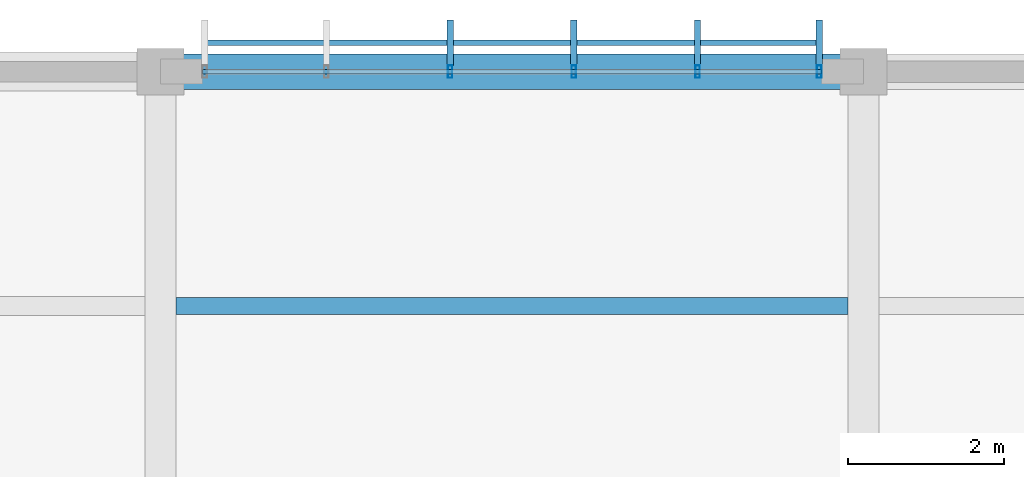
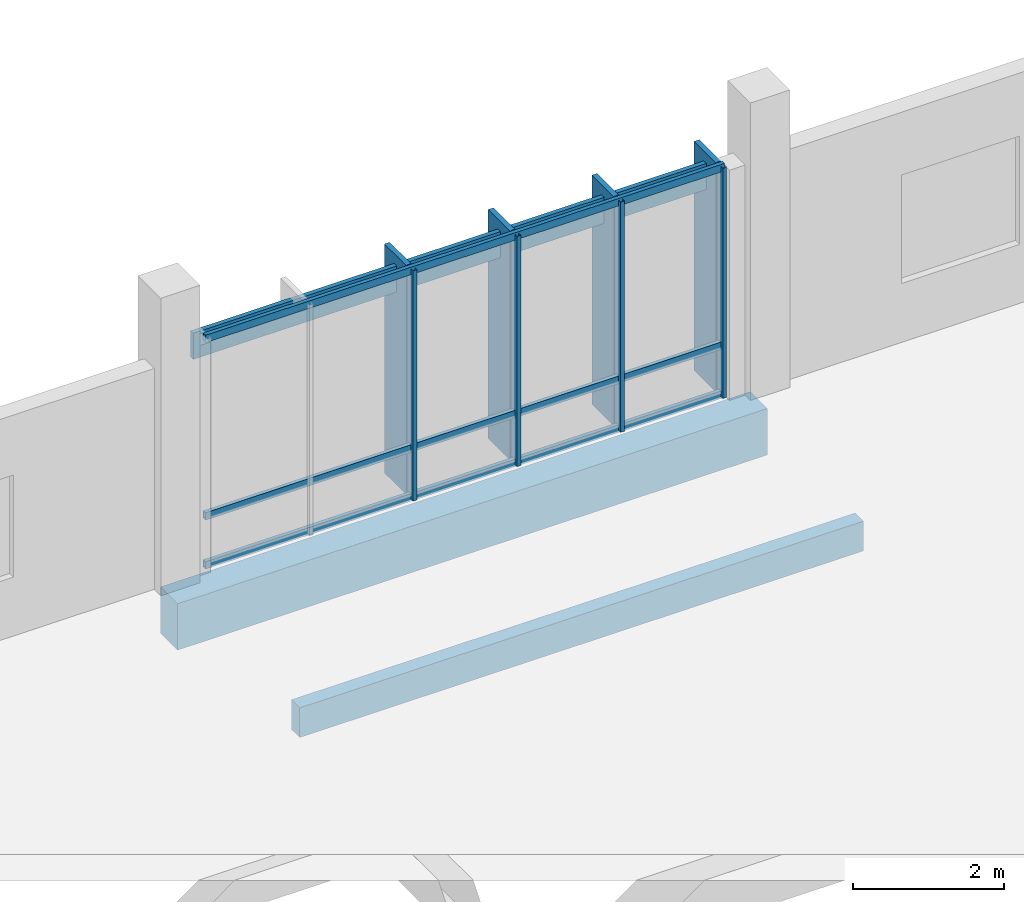
# One storey, part 129 of 177: 12 members, 2 beams, 1 element without a shape of its own.
"""IFC4 building model written with IfcOpenShell, lengths in metres."""

from ifc_helpers import new_model, si_unit, direction, frame, origin, origin_2d, place, context, subcontext, project, spatial, rectangle, hollow_rectangle, extrude, material, material_profile, profile_set, type_object, element, aggregate, save


model = new_model("IFC4")

# Units and contexts
model_context = context("Model", 3, precision=1e-05, world=origin(), true_north=direction((0.0, 1.0)))
body_context = subcontext(model_context, "Body", "Model", "MODEL_VIEW")
ifc_project = project(units=[si_unit("LENGTHUNIT", "METRE"), si_unit("AREAUNIT", "SQUARE_METRE"), si_unit("VOLUMEUNIT", "CUBIC_METRE"), si_unit("PLANEANGLEUNIT", "RADIAN"), si_unit("MASSUNIT", "GRAM", prefix="KILO")], contexts=[model_context])

# Site, building, storey
site_placement = place(None, origin())
site = spatial("IfcSite", under=ifc_project, at=site_placement, CompositionType="ELEMENT")
building_placement = place(site_placement, origin())
building = spatial("IfcBuilding", under=site, at=building_placement, Name="Chiffa Square Polytechnic", CompositionType="ELEMENT")
storey_placement = place(building_placement, frame((0.0, 0.0, 4.800048828125)))
storey = spatial("IfcBuildingStorey", under=building, at=storey_placement, Name="L01", CompositionType="ELEMENT", Elevation=4.800048828125)

# Beam
ifc_material_1 = material(Name="Concrete C35/45", Category="concrete")
ifc_material_profile_1 = material_profile(ifc_material_1, rectangle(XDim=0.449951171875, YDim=0.75, at=origin_2d()), Name="RC 450x750")
ifc_profile_set_1 = profile_set([ifc_material_profile_1], Name="Concrete C35/45")
beam_type_1 = type_object("IfcBeamType", Name="BM-RC-450X750", PredefinedType="BEAM", material=ifc_profile_set_1)
beam_1_placement = place(storey_placement, frame((121.199951171875, 130.800048828125, -0.655029296875), z_axis=(1.0, 0.0, 0.0), x_axis=(0.0, 1.0, 0.0)))
element("IfcBeam", 1, at=beam_1_placement, inside=storey, type_object=beam_type_1, Name="Primary floor girder BM-V5-L01-X-1212-1308", PredefinedType="BEAM", context=body_context, shape_type="SweptSolid", body=[
    extrude(rectangle(XDim=0.449951171875, YDim=0.75, at=origin_2d()), origin(), (0.0, 0.0, 1.0), 9.0),
])

# Curtain wall, members
ifc_material_2 = material(Name="Aluminium EN AW-6060 T66 and glulam shading", Category="wood")
curtain_wall_type = type_object("IfcCurtainWallType", Name="CW-VERT-600X380", PredefinedType="USERDEFINED", material=ifc_material_2)
curtain_wall_placement = place(storey_placement, origin())
curtain_wall = element("IfcCurtainWall", 2, at=curtain_wall_placement, inside=storey, type_object=curtain_wall_type, Name="Curtain wall CW-V5-L01-204", ObjectType="CURTAIN WALL", PredefinedType="USERDEFINED")
ifc_material_3 = material(Name="Aluminium EN AW-6060 T66", Category="aluminium")
ifc_material_profile_2 = material_profile(ifc_material_3, hollow_rectangle(XDim=0.06005859375, YDim=0.159912109375, WallThickness=0.00390625, at=origin_2d()), Name="ALU 60x160x4")
ifc_profile_set_2 = profile_set([ifc_material_profile_2], Name="Aluminium EN AW-6060 T66")
member_type_1 = type_object("IfcMemberType", Name="CWM-ALU-65X150", PredefinedType="MULLION", material=ifc_profile_set_2)
member_1_placement = place(storey_placement, frame((129.635009765625, 130.800048828125, 0.0), z_axis=(0.0, 0.0, 1.0), x_axis=(1.0, 0.0, 0.0)))
member_1 = element("IfcMember", 3, at=member_1_placement, type_object=member_type_1, Name="Curtain wall mullion CW-V5-L01-204-M00", PredefinedType="MULLION", context=body_context, shape_type="SweptSolid", body=[
    extrude(hollow_rectangle(XDim=0.06005859375, YDim=0.159912109375, WallThickness=0.00390625, at=origin_2d()), origin(), (0.0, 0.0, 1.0), 3.71484375),
])
member_2_placement = place(storey_placement, frame((128.075927734375, 130.800048828125, 0.0), z_axis=(0.0, 0.0, 1.0), x_axis=(1.0, 0.0, 0.0)))
member_2 = element("IfcMember", 4, at=member_2_placement, type_object=member_type_1, Name="Curtain wall mullion CW-V5-L01-204-M01", PredefinedType="MULLION", context=body_context, shape_type="SweptSolid", body=[
    extrude(hollow_rectangle(XDim=0.06005859375, YDim=0.159912109375, WallThickness=0.00390625, at=origin_2d()), origin(), (0.0, 0.0, 1.0), 3.71484375),
])
member_3_placement = place(storey_placement, frame((126.491943359375, 130.800048828125, 0.0), z_axis=(0.0, 0.0, 1.0), x_axis=(1.0, 0.0, 0.0)))
member_3 = element("IfcMember", 5, at=member_3_placement, type_object=member_type_1, Name="Curtain wall mullion CW-V5-L01-204-M02", PredefinedType="MULLION", context=body_context, shape_type="SweptSolid", body=[
    extrude(hollow_rectangle(XDim=0.06005859375, YDim=0.159912109375, WallThickness=0.00390625, at=origin_2d()), origin(), (0.0, 0.0, 1.0), 3.71484375),
])
member_4_placement = place(storey_placement, frame((124.907958984375, 130.800048828125, 0.0), z_axis=(0.0, 0.0, 1.0), x_axis=(1.0, 0.0, 0.0)))
member_4 = element("IfcMember", 6, at=member_4_placement, type_object=member_type_1, Name="Curtain wall mullion CW-V5-L01-204-M03", PredefinedType="MULLION", context=body_context, shape_type="SweptSolid", body=[
    extrude(hollow_rectangle(XDim=0.06005859375, YDim=0.159912109375, WallThickness=0.00390625, at=origin_2d()), origin(), (0.0, 0.0, 1.0), 3.71484375),
])
ifc_material_4 = material(Name="Glulam GL28h", Category="wood")
ifc_material_profile_3 = material_profile(ifc_material_4, rectangle(XDim=0.080078125, YDim=0.580078125, at=origin_2d()), Name="GL28h 80x580")
ifc_profile_set_3 = profile_set([ifc_material_profile_3], Name="Glulam GL28h")
member_type_2 = type_object("IfcMemberType", Name="CWM-GL-80X580", PredefinedType="MULLION", material=ifc_profile_set_3)
member_5_placement = place(storey_placement, frame((129.635009765625, 131.172119140625, 0.010009765625), z_axis=(0.0, 0.0, 1.0), x_axis=(-1.0, 0.0, 0.0)))
member_5 = element("IfcMember", 7, at=member_5_placement, type_object=member_type_2, Name="Exterior glulam solar fin CW-V5-L01-204-FN00", PredefinedType="MULLION", context=body_context, shape_type="SweptSolid", body=[
    extrude(rectangle(XDim=0.080078125, YDim=0.580078125, at=origin_2d()), origin(), (0.0, 0.0, 1.0), 3.69482421875),
])
member_6_placement = place(storey_placement, frame((128.075927734375, 131.172119140625, 0.010009765625), z_axis=(0.0, 0.0, 1.0), x_axis=(-1.0, 0.0, 0.0)))
member_6 = element("IfcMember", 8, at=member_6_placement, type_object=member_type_2, Name="Exterior glulam solar fin CW-V5-L01-204-FN01", PredefinedType="MULLION", context=body_context, shape_type="SweptSolid", body=[
    extrude(rectangle(XDim=0.080078125, YDim=0.580078125, at=origin_2d()), origin(), (0.0, 0.0, 1.0), 3.69482421875),
])
member_7_placement = place(storey_placement, frame((126.491943359375, 131.172119140625, 0.010009765625), z_axis=(0.0, 0.0, 1.0), x_axis=(-1.0, 0.0, 0.0)))
member_7 = element("IfcMember", 9, at=member_7_placement, type_object=member_type_2, Name="Exterior glulam solar fin CW-V5-L01-204-FN02", PredefinedType="MULLION", context=body_context, shape_type="SweptSolid", body=[
    extrude(rectangle(XDim=0.080078125, YDim=0.580078125, at=origin_2d()), origin(), (0.0, 0.0, 1.0), 3.69482421875),
])
member_8_placement = place(storey_placement, frame((124.907958984375, 131.172119140625, 0.010009765625), z_axis=(0.0, 0.0, 1.0), x_axis=(-1.0, 0.0, 0.0)))
member_8 = element("IfcMember", 10, at=member_8_placement, type_object=member_type_2, Name="Exterior glulam solar fin CW-V5-L01-204-FN03", PredefinedType="MULLION", context=body_context, shape_type="SweptSolid", body=[
    extrude(rectangle(XDim=0.080078125, YDim=0.580078125, at=origin_2d()), origin(), (0.0, 0.0, 1.0), 3.69482421875),
])
ifc_material_profile_4 = material_profile(ifc_material_3, hollow_rectangle(XDim=0.06005859375, YDim=0.1201171875, WallThickness=0.00390625, at=origin_2d()), Name="ALU 60x120x4")
ifc_profile_set_4 = profile_set([ifc_material_profile_4], Name="Aluminium EN AW-6060 T66")
member_type_3 = type_object("IfcMemberType", Name="CWT-ALU-65X120", PredefinedType="USERDEFINED", material=ifc_profile_set_4)
member_9_placement = place(storey_placement, frame((129.662109375, 130.800048828125, 0.030029296875), z_axis=(-1.0, 0.0, 0.0), x_axis=(0.0, -1.0, 0.0)))
member_9 = element("IfcMember", 11, at=member_9_placement, type_object=member_type_3, Name="Curtain wall transom CW-V5-L01-204-T01", ObjectType="TRANSOM", PredefinedType="USERDEFINED", context=body_context, shape_type="SweptSolid", body=[
    extrude(hollow_rectangle(XDim=0.06005859375, YDim=0.1201171875, WallThickness=0.00390625, at=origin_2d()), origin(), (0.0, 0.0, 1.0), 7.924072265625),
])
member_10_placement = place(storey_placement, frame((129.662109375, 130.800048828125, 0.820068359375), z_axis=(-1.0, 0.0, 0.0), x_axis=(0.0, -1.0, 0.0)))
member_10 = element("IfcMember", 12, at=member_10_placement, type_object=member_type_3, Name="Curtain wall transom CW-V5-L01-204-T02", ObjectType="TRANSOM", PredefinedType="USERDEFINED", context=body_context, shape_type="SweptSolid", body=[
    extrude(hollow_rectangle(XDim=0.06005859375, YDim=0.1201171875, WallThickness=0.00390625, at=origin_2d()), origin(), (0.0, 0.0, 1.0), 7.924072265625),
])
member_11_placement = place(storey_placement, frame((129.662109375, 130.800048828125, 3.68505859375), z_axis=(-1.0, 0.0, 0.0), x_axis=(0.0, -1.0, 0.0)))
member_11 = element("IfcMember", 13, at=member_11_placement, type_object=member_type_3, Name="Curtain wall transom CW-V5-L01-204-T03", ObjectType="TRANSOM", PredefinedType="USERDEFINED", context=body_context, shape_type="SweptSolid", body=[
    extrude(hollow_rectangle(XDim=0.06005859375, YDim=0.1201171875, WallThickness=0.00390625, at=origin_2d()), origin(), (0.0, 0.0, 1.0), 7.924072265625),
])
ifc_material_profile_5 = material_profile(ifc_material_4, rectangle(XDim=0.070068359375, YDim=0.419921875, at=origin_2d()), Name="GL28h 70x420")
ifc_profile_set_5 = profile_set([ifc_material_profile_5], Name="Glulam GL28h")
member_type_4 = type_object("IfcMemberType", Name="CWT-GL-70X420", PredefinedType="USERDEFINED", material=ifc_profile_set_5)
member_12_placement = place(storey_placement, frame((129.635009765625, 131.172119140625, 3.3349609375), z_axis=(-1.0, 0.0, 0.0), x_axis=(0.0, -1.0, 0.0)))
member_12 = element("IfcMember", 14, at=member_12_placement, type_object=member_type_4, Name="Exterior glulam brise-soleil CW-V5-L01-204-BS01", ObjectType="TRANSOM", PredefinedType="USERDEFINED", context=body_context, shape_type="SweptSolid", body=[
    extrude(rectangle(XDim=0.070068359375, YDim=0.419921875, at=origin_2d()), origin(), (0.0, 0.0, 1.0), 7.8701171875),
])
aggregate(curtain_wall, [member_1, member_5, member_2, member_6, member_3, member_7, member_4, member_8, member_9, member_10, member_11, member_12])

# Beam
ifc_material_profile_6 = material_profile(ifc_material_4, rectangle(XDim=0.219970703125, YDim=0.47998046875, at=origin_2d()), Name="GL28h 220x480")
ifc_profile_set_6 = profile_set([ifc_material_profile_6], Name="Glulam GL28h")
beam_type_2 = type_object("IfcBeamType", Name="JST-GL-220X480", PredefinedType="JOIST", material=ifc_profile_set_6)
beam_2_placement = place(storey_placement, frame((121.39794921875, 127.800048828125, -0.52001953125), z_axis=(1.0, 0.0, 0.0), x_axis=(0.0, 1.0, 0.0)))
element("IfcBeam", 15, at=beam_2_placement, inside=storey, type_object=beam_type_2, Name="Secondary floor joist JST-V5-L01-1212-1278", PredefinedType="JOIST", context=body_context, shape_type="SweptSolid", body=[
    extrude(rectangle(XDim=0.219970703125, YDim=0.47998046875, at=origin_2d()), origin(), (0.0, 0.0, 1.0), 8.60400390625),
])

save(model, "model.ifc")
